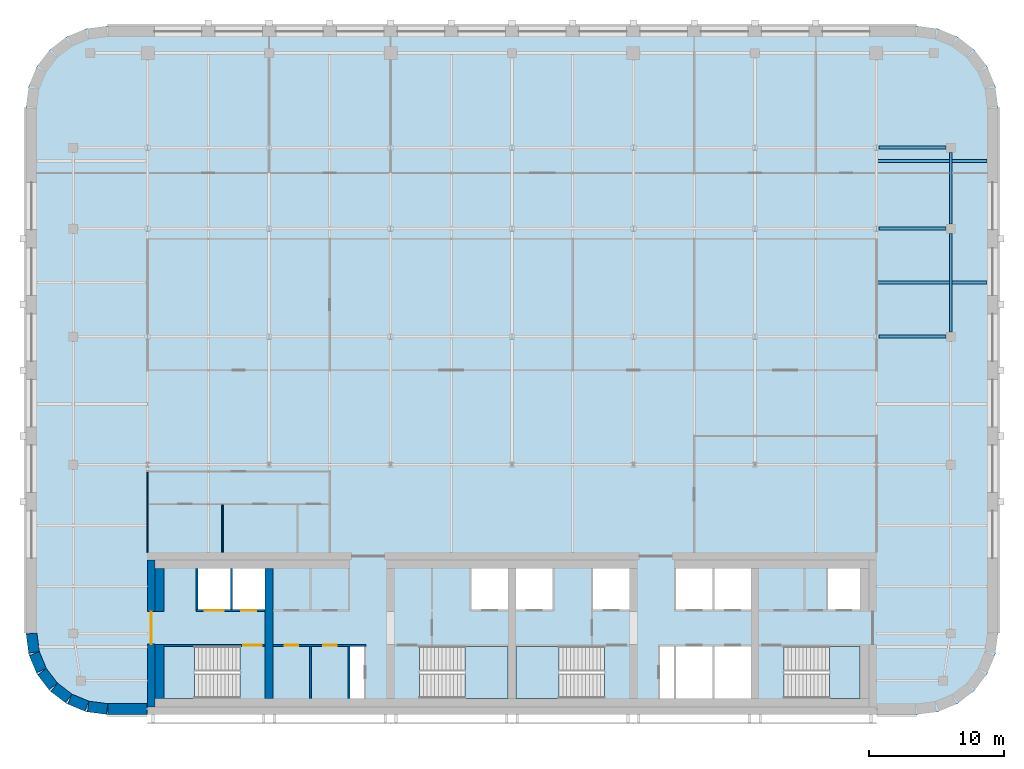
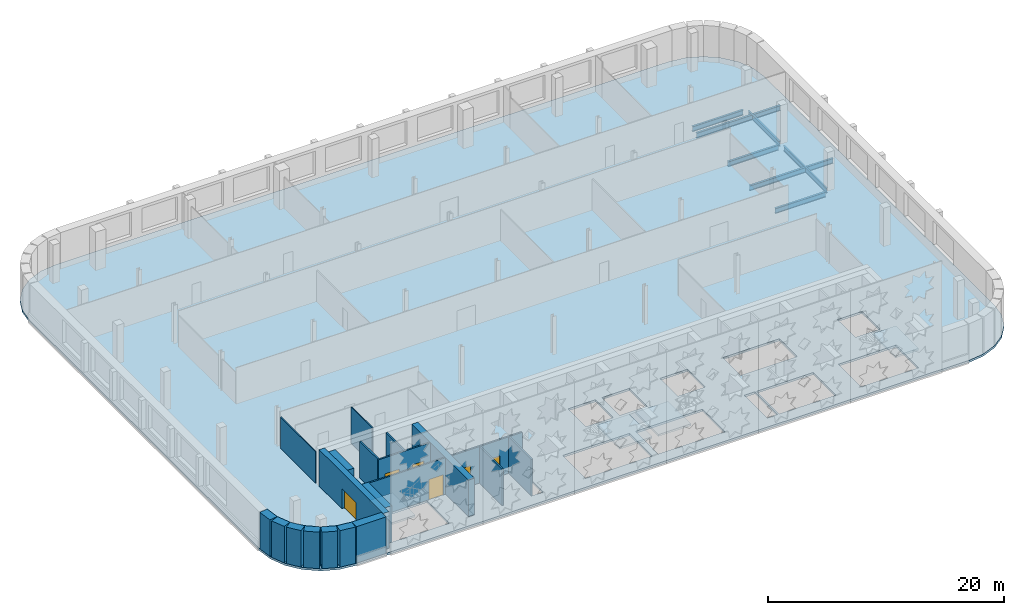
# One storey, part 6 of 15: 20 walls, 7 beams, 6 doors, 5 slabs, 6 openings, 4 elements without a shape of their own.
"""IFC4 building model written with IfcOpenShell, lengths in metres."""

from ifc_helpers import new_model, si_unit, direction, frame, frame_2d, origin, origin_2d, place, context, subcontext, project, spatial, polyline, rectangle, i_section, outline, extrude, material, layer, layer_set, material_profile, profile_set, type_object, element, fill, aggregate, save


model = new_model("IFC4")

# Units and contexts
model_context = context("Model", 3, precision=1e-05, world=origin(), true_north=direction((0.0, 1.0)))
body_context = subcontext(model_context, "Body", "Model", "MODEL_VIEW")
ifc_project = project(units=[si_unit("LENGTHUNIT", "METRE"), si_unit("AREAUNIT", "SQUARE_METRE"), si_unit("VOLUMEUNIT", "CUBIC_METRE"), si_unit("PLANEANGLEUNIT", "RADIAN"), si_unit("MASSUNIT", "GRAM", prefix="KILO")], contexts=[model_context])

# Site, building, storey
site_placement = place(None, origin())
site = spatial("IfcSite", under=ifc_project, at=site_placement, CompositionType="ELEMENT")
building_placement = place(site_placement, origin())
building = spatial("IfcBuilding", under=site, at=building_placement, Name="Zellij Exchange Tower", CompositionType="ELEMENT")
storey_placement = place(building_placement, frame((0.0, 0.0, 276.5)))
storey = spatial("IfcBuildingStorey", under=building, at=storey_placement, Name="L65", CompositionType="ELEMENT", Elevation=276.5)

# Beams
ifc_material_1 = material(Name="Structural steel ASTM A992 Gr 50", Category="steel")
ifc_material_profile_1 = material_profile(ifc_material_1, i_section(OverallWidth=0.209228515625, OverallDepth=0.533447265625, WebThickness=0.01025390625, FlangeThickness=0.015625, at=origin_2d()), Name="W21x62")
ifc_profile_set_1 = profile_set([ifc_material_profile_1], Name="Structural steel ASTM A992 Gr 50")
beam_type_1 = type_object("IfcBeamType", Name="STR-BEAM W21x62", PredefinedType="BEAM", material=ifc_profile_set_1)
for number, where, z_axis, x_axis, name in (
    (1, (27.0, 18.0, -0.48681640625), (1.0, 0.0, 0.0), (0.0, 1.0, 0.0), "B3"),
    (2, (27.0, 27.0, -0.48681640625), (1.0, 0.0, 0.0), (0.0, 1.0, 0.0), "B3"),
):
    element("IfcBeam", number, at=place(storey_placement, frame(where, z_axis=z_axis, x_axis=x_axis)), inside=storey, type_object=beam_type_1, Name=name, PredefinedType="BEAM", context=body_context, shape_type="SweptSolid", body=[
        extrude(i_section(OverallWidth=0.209228515625, OverallDepth=0.533447265625, WebThickness=0.01025390625, FlangeThickness=0.015625, at=origin_2d()), origin(), (0.0, 0.0, 1.0), 8.199951171875),
    ])
ifc_material_profile_2 = material_profile(ifc_material_1, i_section(OverallWidth=0.1650390625, OverallDepth=0.52587890625, WebThickness=0.0087890625, FlangeThickness=0.011474609375, at=origin_2d()), Name="W21x44")
ifc_profile_set_2 = profile_set([ifc_material_profile_2], Name="Structural steel ASTM A992 Gr 50")
beam_type_2 = type_object("IfcBeamType", Name="STR-EDGE GIRDER W21x44", PredefinedType="BEAM", material=ifc_profile_set_2)
beam_1_placement = place(storey_placement, frame((32.5, 14.35009765625, -0.48291015625), z_axis=(0.0, 1.0, 0.0), x_axis=(-1.0, 0.0, 0.0)))
element("IfcBeam", 3, at=beam_1_placement, inside=storey, type_object=beam_type_2, Name="EB2", PredefinedType="BEAM", context=body_context, shape_type="SweptSolid", body=[
    extrude(i_section(OverallWidth=0.1650390625, OverallDepth=0.52587890625, WebThickness=0.0087890625, FlangeThickness=0.011474609375, at=origin_2d()), origin(), (0.0, 0.0, 1.0), 7.2998046875),
])
beam_2_placement = place(storey_placement, frame((32.5, 22.35009765625, -0.48291015625), z_axis=(0.0, 1.0, 0.0), x_axis=(-1.0, 0.0, 0.0)))
element("IfcBeam", 4, at=beam_2_placement, inside=storey, type_object=beam_type_2, Name="EB2", PredefinedType="BEAM", context=body_context, shape_type="SweptSolid", body=[
    extrude(i_section(OverallWidth=0.1650390625, OverallDepth=0.52587890625, WebThickness=0.0087890625, FlangeThickness=0.011474609375, at=origin_2d()), origin(), (0.0, 0.0, 1.0), 5.2998046875),
])
ifc_material_profile_3 = material_profile(ifc_material_1, i_section(OverallWidth=0.209228515625, OverallDepth=0.533447265625, WebThickness=0.01025390625, FlangeThickness=0.015625, at=origin_2d()), Name="W21x62")
ifc_profile_set_3 = profile_set([ifc_material_profile_3], Name="Structural steel ASTM A992 Gr 50")
beam_type_3 = type_object("IfcBeamType", Name="STR-GIRDER W21x62", PredefinedType="BEAM", material=ifc_profile_set_3)
for number, where, z_axis, x_axis, name in (
    (5, (27.186767578125, 14.0, -0.48681640625), (1.0, 0.0, 0.0), (0.0, 1.0, 0.0), "G1"),
    (6, (27.186767578125, 22.0, -0.48681640625), (1.0, 0.0, 0.0), (0.0, 1.0, 0.0), "G1"),
    (7, (27.186767578125, 28.0, -0.48681640625), (1.0, 0.0, 0.0), (0.0, 1.0, 0.0), "G1"),
):
    element("IfcBeam", number, at=place(storey_placement, frame(where, z_axis=z_axis, x_axis=x_axis)), inside=storey, type_object=beam_type_3, Name=name, PredefinedType="BEAM", context=body_context, shape_type="SweptSolid", body=[
        extrude(i_section(OverallWidth=0.209228515625, OverallDepth=0.533447265625, WebThickness=0.01025390625, FlangeThickness=0.015625, at=origin_2d()), origin(), (0.0, 0.0, 1.0), 4.963134765625),
    ])

# Stair, slab
ifc_material_2 = material(Name="Concrete C40/50", Category="concrete")
stair_type = type_object("IfcStairType", Name="CORE-ST exit stair 1850 wide", PredefinedType="HALF_TURN_STAIR", material=ifc_material_2)
stair_1_placement = place(storey_placement, origin())
stair_1 = element("IfcStair", 8, at=stair_1_placement, inside=storey, type_object=stair_type, Name="L65 exit stair ST1", PredefinedType="HALF_TURN_STAIR")
ifc_layer_1 = layer(ifc_material_2, 0.199951171875)
ifc_layer_set_1 = layer_set([ifc_layer_1], Name="Concrete C40/50")
slab_type_1 = type_object("IfcSlabType", Name="CORE-SL stair landing 200", PredefinedType="LANDING", material=ifc_layer_set_1)
slab_1_placement = place(storey_placement, frame((0.0, 0.0, 1.800048828125)))
slab_1 = element("IfcSlab", 9, at=slab_1_placement, type_object=slab_type_1, Name="ST1 landing 1", PredefinedType="LANDING", context=body_context, shape_type="SweptSolid", body=[
    extrude(outline(polyline([(-23.510009765625, -8.949951171875), (-25.800048828125, -8.949951171875), (-25.800048828125, -12.800048828125), (-23.510009765625, -12.800048828125), (-23.510009765625, -8.949951171875)])), origin(), (0.0, 0.0, 1.0), 0.199951171875),
])
aggregate(stair_1, [slab_1])

stair_2_placement = place(storey_placement, origin())
stair_2 = element("IfcStair", 10, at=stair_2_placement, inside=storey, type_object=stair_type, Name="L65 exit stair ST2", PredefinedType="HALF_TURN_STAIR")
slab_2_placement = place(storey_placement, frame((0.0, 0.0, 1.800048828125)))
slab_2 = element("IfcSlab", 11, at=slab_2_placement, type_object=slab_type_1, Name="ST2 landing 1", PredefinedType="LANDING", context=body_context, shape_type="SweptSolid", body=[
    extrude(outline(polyline([(-3.489990234375, -12.800048828125), (-0.300048828125, -12.800048828125), (-0.300048828125, -8.949951171875), (-3.489990234375, -8.949951171875), (-3.489990234375, -12.800048828125)])), origin(), (0.0, 0.0, 1.0), 0.199951171875),
])
aggregate(stair_2, [slab_2])

stair_3_placement = place(storey_placement, origin())
stair_3 = element("IfcStair", 12, at=stair_3_placement, inside=storey, type_object=stair_type, Name="L65 exit stair ST3", PredefinedType="HALF_TURN_STAIR")
slab_3_placement = place(storey_placement, frame((0.0, 0.0, 1.800048828125)))
slab_3 = element("IfcSlab", 13, at=slab_3_placement, type_object=slab_type_1, Name="ST3 landing 1", PredefinedType="LANDING", context=body_context, shape_type="SweptSolid", body=[
    extrude(outline(polyline([(3.489990234375, -8.949951171875), (0.300048828125, -8.949951171875), (0.300048828125, -12.800048828125), (3.489990234375, -12.800048828125), (3.489990234375, -8.949951171875)])), origin(), (0.0, 0.0, 1.0), 0.199951171875),
])
aggregate(stair_3, [slab_3])

stair_4_placement = place(storey_placement, origin())
stair_4 = element("IfcStair", 14, at=stair_4_placement, inside=storey, type_object=stair_type, Name="L65 exit stair ST4", PredefinedType="HALF_TURN_STAIR")
slab_4_placement = place(storey_placement, frame((0.0, 0.0, 1.800048828125)))
slab_4 = element("IfcSlab", 15, at=slab_4_placement, type_object=slab_type_1, Name="ST4 landing 1", PredefinedType="LANDING", context=body_context, shape_type="SweptSolid", body=[
    extrude(outline(polyline([(23.510009765625, -12.800048828125), (25.800048828125, -12.800048828125), (25.800048828125, -8.949951171875), (23.510009765625, -8.949951171875), (23.510009765625, -12.800048828125)])), origin(), (0.0, 0.0, 1.0), 0.199951171875),
])
aggregate(stair_4, [slab_4])

# Slab
ifc_layer_2 = layer(ifc_material_2, 0.219970703125)
ifc_layer_set_2 = layer_set([ifc_layer_2], Name="Concrete C40/50")
slab_type_2 = type_object("IfcSlabType", Name="STR-FLOOR SLAB 220 C40/50", PredefinedType="FLOOR", material=ifc_layer_set_2)
slab_5_placement = place(storey_placement, frame((0.0, 0.0, -0.22021484375)))
element("IfcSlab", 16, at=slab_5_placement, inside=storey, type_object=slab_type_2, Name="Floor L65", PredefinedType="FLOOR", context=body_context, shape_type="SweptSolid", body=[
    extrude(outline(polyline([(-30.0, -14.0), (-31.552978515625, -13.795654296875), (-33.0, -13.1962890625), (-34.24267578125, -12.24267578125), (-35.1962890625, -11.0), (-35.795654296875, -9.552978515625), (-36.0, -8.0), (-36.0, 31.0), (-35.795654296875, 32.552978515625), (-35.1962890625, 34.0), (-34.24267578125, 35.24267578125), (-33.0, 36.1962890625), (-31.552978515625, 36.795654296875), (-30.0, 37.0), (30.0, 37.0), (31.552978515625, 36.795654296875), (33.0, 36.1962890625), (34.24267578125, 35.24267578125), (35.1962890625, 34.0), (35.795654296875, 32.552978515625), (36.0, 31.0), (36.0, -8.0), (35.795654296875, -9.552978515625), (35.1962890625, -11.0), (34.24267578125, -12.24267578125), (33.0, -13.1962890625), (31.552978515625, -13.795654296875), (30.0, -14.0), (-30.0, -14.0)]), holes=[polyline([(-25.800048828125, -8.949951171875), (-25.800048828125, -12.800048828125), (-20.153076171875, -12.800048828125), (-20.153076171875, -8.949951171875), (-25.800048828125, -8.949951171875)]), polyline([(-10.949951171875, -8.949951171875), (-12.0, -8.949951171875), (-12.0, -12.800048828125), (-10.949951171875, -12.800048828125), (-10.949951171875, -8.949951171875)]), polyline([(-0.300048828125, -8.949951171875), (-6.846923828125, -8.949951171875), (-6.846923828125, -12.800048828125), (-0.300048828125, -12.800048828125), (-0.300048828125, -8.949951171875)]), polyline([(0.300048828125, -8.949951171875), (0.300048828125, -12.800048828125), (6.846923828125, -12.800048828125), (6.846923828125, -8.949951171875), (0.300048828125, -8.949951171875)]), polyline([(-18.300048828125, -3.199951171875), (-23.25, -3.199951171875), (-23.25, -6.22509765625), (-18.300048828125, -6.22509765625), (-18.300048828125, -3.199951171875)]), polyline([(-0.300048828125, -3.199951171875), (-3.0, -3.199951171875), (-3.0, -6.22509765625), (-0.300048828125, -6.22509765625), (-0.300048828125, -3.199951171875)]), polyline([(0.300048828125, -3.199951171875), (0.300048828125, -6.22509765625), (3.0, -6.22509765625), (3.0, -3.199951171875), (0.300048828125, -3.199951171875)]), polyline([(12.0, -8.949951171875), (10.949951171875, -8.949951171875), (10.949951171875, -12.800048828125), (12.0, -12.800048828125), (12.0, -8.949951171875)]), polyline([(17.699951171875, -8.949951171875), (12.14990234375, -8.949951171875), (12.14990234375, -12.800048828125), (17.699951171875, -12.800048828125), (17.699951171875, -8.949951171875)]), polyline([(25.800048828125, -8.949951171875), (20.153076171875, -8.949951171875), (20.153076171875, -12.800048828125), (25.800048828125, -12.800048828125), (25.800048828125, -8.949951171875)]), polyline([(8.699951171875, -3.199951171875), (6.0, -3.199951171875), (6.0, -6.22509765625), (8.699951171875, -6.22509765625), (8.699951171875, -3.199951171875)]), polyline([(17.699951171875, -3.199951171875), (12.14990234375, -3.199951171875), (12.14990234375, -6.22509765625), (17.699951171875, -6.22509765625), (17.699951171875, -3.199951171875)]), polyline([(25.800048828125, -3.199951171875), (23.39990234375, -3.199951171875), (23.39990234375, -6.22509765625), (25.800048828125, -6.22509765625), (25.800048828125, -3.199951171875)])]), origin(), (0.0, 0.0, 1.0), 0.22021484375),
])

# Walls
ifc_material_3 = material(Name="Concrete C50/60", Category="concrete")
ifc_layer_3 = layer(ifc_material_3, 0.60009765625)
ifc_layer_set_3 = layer_set([ifc_layer_3], Name="Concrete C50/60")
wall_type_1 = type_object("IfcWallType", Name="CORE-CW 600 C50/60", PredefinedType="SHEAR", material=ifc_layer_set_3)
wall_1_placement = place(storey_placement, frame((-18.0, -12.800048828125, 0.0), z_axis=(0.0, 0.0, 1.0), x_axis=(0.0, 1.0, 0.0)))
element("IfcWall", 17, at=wall_1_placement, inside=storey, type_object=wall_type_1, Name="Core cross wall x -18 L65", PredefinedType="SHEAR", context=body_context, shape_type="SweptSolid", body=[
    extrude(rectangle(XDim=9.60009765625, YDim=0.60009765625, at=frame_2d((4.800048828125, 0.0))), origin(), (0.0, 0.0, 1.0), 3.780029296875),
])
ifc_material_4 = material(Name="Concrete C30/37", Category="concrete")
ifc_layer_4 = layer(ifc_material_4, 0.64990234375)
ifc_layer_set_4 = layer_set([ifc_layer_4], Name="Concrete C30/37")
wall_type_2 = type_object("IfcWallType", Name="CORE-LW 650 C30/37", PredefinedType="SHEAR", material=ifc_layer_set_4)
wall_2_placement = place(storey_placement, frame((-26.125, -12.800048828125, 0.0), z_axis=(0.0, 0.0, 1.0), x_axis=(0.0, 1.0, 0.0)))
element("IfcWall", 18, at=wall_2_placement, inside=storey, type_object=wall_type_2, Name="Core wall lining end w.0 L65", PredefinedType="SHEAR", context=body_context, shape_type="SweptSolid", body=[
    extrude(rectangle(XDim=4.0, YDim=0.64990234375, at=frame_2d((2.0, 0.0))), origin(), (0.0, 0.0, 1.0), 3.780029296875),
])
wall_3_placement = place(storey_placement, frame((-26.125, -6.375, 0.0), z_axis=(0.0, 0.0, 1.0), x_axis=(0.0, 1.0, 0.0)))
element("IfcWall", 19, at=wall_3_placement, inside=storey, type_object=wall_type_2, Name="Core wall lining end w.1 L65", PredefinedType="SHEAR", context=body_context, shape_type="SweptSolid", body=[
    extrude(rectangle(XDim=3.175048828125, YDim=0.64990234375, at=frame_2d((1.58740234375, 0.0))), origin(), (0.0, 0.0, 1.0), 3.780029296875),
])
ifc_material_5 = material(Name="Gypsum board partition")
ifc_layer_5 = layer(ifc_material_5, 0.14990234375)
ifc_layer_set_5 = layer_set([ifc_layer_5], Name="Gypsum board partition")
wall_type_3 = type_object("IfcWallType", Name="CORE-PW 150 Lift lobby wall", PredefinedType="PARTITIONING", material=ifc_layer_set_5)
for number, where, z_axis, x_axis, name in (
    (20, (-12.074951171875, -12.800048828125, 0.0), (0.0, 0.0, 1.0), (0.0, 1.0, 0.0), "Lift lobby wall L65"),
    (21, (-14.925048828125, -12.800048828125, 0.0), (0.0, 0.0, 1.0), (0.0, 1.0, 0.0), "Lift lobby wall L65"),
):
    element("IfcWall", number, at=place(storey_placement, frame(where, z_axis=z_axis, x_axis=x_axis)), inside=storey, type_object=wall_type_3, Name=name, PredefinedType="PARTITIONING", context=body_context, shape_type="SweptSolid", body=[
        extrude(rectangle(XDim=3.85009765625, YDim=0.14990234375, at=frame_2d((1.925048828125, 0.0))), origin(), (0.0, 0.0, 1.0), 3.780029296875),
    ])

# Wall, openings, doors
wall_4_placement = place(storey_placement, frame((-17.699951171875, -8.875, 0.0), z_axis=(0.0, 0.0, 1.0), x_axis=(1.0, 0.0, 0.0)))
wall_4 = element("IfcWall", 22, at=wall_4_placement, inside=storey, type_object=wall_type_3, Name="Lift lobby wall L65", PredefinedType="PARTITIONING", context=body_context, shape_type="SweptSolid", body=[
    extrude(rectangle(XDim=6.89990234375, YDim=0.14990234375, at=frame_2d((3.449951171875, 0.0))), origin(), (0.0, 0.0, 1.0), 3.780029296875),
])
opening_1_placement = place(wall_4_placement, frame((0.85009765625, 0.0, 0.0)))
opening_1 = element("IfcOpeningElement", 23, at=opening_1_placement, cuts=wall_4, Name="Opening CA-34.05", PredefinedType="OPENING", context=body_context, shape_type="SweptSolid", body=[
    extrude(rectangle(XDim=1.0, YDim=2.10009765625, at=frame_2d((0.5, 1.050048828125))), frame((0.0, 0.0869140625, 0.0), z_axis=(0.0, -1.0, 0.0), x_axis=(1.0, 0.0, 0.0)), (0.0, 0.0, 1.0), 0.173828125),
])
opening_2_placement = place(wall_4_placement, frame((3.699951171875, 0.0, 0.0)))
opening_2 = element("IfcOpeningElement", 24, at=opening_2_placement, cuts=wall_4, Name="Opening CA-34.07", PredefinedType="OPENING", context=body_context, shape_type="SweptSolid", body=[
    extrude(rectangle(XDim=1.0, YDim=2.10009765625, at=frame_2d((0.5, 1.050048828125))), frame((0.0, 0.0869140625, 0.0), z_axis=(0.0, -1.0, 0.0), x_axis=(1.0, 0.0, 0.0)), (0.0, 0.0, 1.0), 0.173828125),
])
ifc_material_6 = material(Name="Hollow metal fire door")
door_type_1 = type_object("IfcDoorType", Name="CORE-D CD Core room door 1000x2100 1 HR", OperationType="NOTDEFINED", PredefinedType="DOOR", material=ifc_material_6)
door_1_placement = place(opening_1_placement, origin())
door_1 = element("IfcDoor", 25, at=door_1_placement, inside=storey, type_object=door_type_1, Name="Core room door CA-34.05", OperationType="SINGLE_SWING_RIGHT", OverallHeight=2.10009765625, OverallWidth=1.0, PredefinedType="DOOR", context=body_context, shape_type="SweptSolid", body=[
    extrude(rectangle(XDim=1.0, YDim=2.10009765625, at=frame_2d((0.5, 1.050048828125))), frame((0.0, 0.02490234375, 0.0), z_axis=(0.0, -1.0, 0.0), x_axis=(1.0, 0.0, 0.0)), (0.0, 0.0, 1.0), 0.050048828125),
])
fill(opening_1, door_1)
door_2_placement = place(opening_2_placement, origin())
door_2 = element("IfcDoor", 26, at=door_2_placement, inside=storey, type_object=door_type_1, Name="Core room door CA-34.07", OperationType="SINGLE_SWING_LEFT", OverallHeight=2.10009765625, OverallWidth=1.0, PredefinedType="DOOR", context=body_context, shape_type="SweptSolid", body=[
    extrude(rectangle(XDim=1.0, YDim=2.10009765625, at=frame_2d((0.5, 1.050048828125))), frame((0.0, 0.02490234375, 0.0), z_axis=(0.0, -1.0, 0.0), x_axis=(1.0, 0.0, 0.0)), (0.0, 0.0, 1.0), 0.050048828125),
])
fill(opening_2, door_2)

# Walls
ifc_material_7 = material(Name="Gypsum shaft wall system")
ifc_layer_6 = layer(ifc_material_7, 0.14990234375)
ifc_layer_set_6 = layer_set([ifc_layer_6], Name="Gypsum shaft wall system")
wall_type_4 = type_object("IfcWallType", Name="CORE-PW 150 Lift shaft wall", PredefinedType="PARTITIONING", material=ifc_layer_set_6)
for number, where, z_axis, x_axis, name in (
    (27, (-20.77490234375, -6.22509765625, 0.0), (0.0, 0.0, 1.0), (0.0, 1.0, 0.0), "Lift shaft wall L65"),
    (28, (-23.324951171875, -6.22509765625, 0.0), (0.0, 0.0, 1.0), (0.0, 1.0, 0.0), "Lift shaft wall L65"),
):
    element("IfcWall", number, at=place(storey_placement, frame(where, z_axis=z_axis, x_axis=x_axis)), inside=storey, type_object=wall_type_4, Name=name, PredefinedType="PARTITIONING", context=body_context, shape_type="SweptSolid", body=[
        extrude(rectangle(XDim=3.025146484375, YDim=0.14990234375, at=frame_2d((1.5126953125, 0.0))), origin(), (0.0, 0.0, 1.0), 3.780029296875),
    ])

# Wall, openings, doors
wall_5_placement = place(storey_placement, frame((-23.39990234375, -6.300048828125, 0.0), z_axis=(0.0, 0.0, 1.0), x_axis=(1.0, 0.0, 0.0)))
wall_5 = element("IfcWall", 29, at=wall_5_placement, inside=storey, type_object=wall_type_4, Name="Lift shaft wall L65", PredefinedType="PARTITIONING", context=body_context, shape_type="SweptSolid", body=[
    extrude(rectangle(XDim=5.099853515625, YDim=0.14990234375, at=frame_2d((2.5498046875, 0.0))), origin(), (0.0, 0.0, 1.0), 3.780029296875),
])
opening_3_placement = place(wall_5_placement, frame((0.64990234375, 0.0, 0.0)))
opening_3 = element("IfcOpeningElement", 30, at=opening_3_placement, cuts=wall_5, Name="Opening CA-34.02", PredefinedType="OPENING", context=body_context, shape_type="SweptSolid", body=[
    extrude(rectangle(XDim=1.39990234375, YDim=2.10009765625, at=frame_2d((0.699951171875, 1.050048828125))), frame((0.0, 0.0869140625, 0.0), z_axis=(0.0, -1.0, 0.0), x_axis=(1.0, 0.0, 0.0)), (0.0, 0.0, 1.0), 0.173828125),
])
opening_4_placement = place(wall_5_placement, frame((3.35009765625, 0.0, 0.0)))
opening_4 = element("IfcOpeningElement", 31, at=opening_4_placement, cuts=wall_5, Name="Opening CA-34.03", PredefinedType="OPENING", context=body_context, shape_type="SweptSolid", body=[
    extrude(rectangle(XDim=1.10009765625, YDim=2.10009765625, at=frame_2d((0.550048828125, 1.050048828125))), frame((0.0, 0.0869140625, 0.0), z_axis=(0.0, -1.0, 0.0), x_axis=(1.0, 0.0, 0.0)), (0.0, 0.0, 1.0), 0.173828125),
])
door_type_2 = type_object("IfcDoorType", Name="CORE-D LD Lift landing door 1100x2100 1.5 HR", OperationType="NOTDEFINED", PredefinedType="DOOR", material=ifc_material_6)
door_3_placement = place(opening_4_placement, origin())
door_3 = element("IfcDoor", 32, at=door_3_placement, inside=storey, type_object=door_type_2, Name="Lift landing door CA-34.03", OperationType="SLIDING_TO_LEFT", OverallHeight=2.10009765625, OverallWidth=1.10009765625, PredefinedType="DOOR", context=body_context, shape_type="SweptSolid", body=[
    extrude(rectangle(XDim=1.10009765625, YDim=2.10009765625, at=frame_2d((0.550048828125, 1.050048828125))), frame((0.0, 0.02490234375, 0.0), z_axis=(0.0, -1.0, 0.0), x_axis=(1.0, 0.0, 0.0)), (0.0, 0.0, 1.0), 0.050048828125),
])
fill(opening_4, door_3)
door_type_3 = type_object("IfcDoorType", Name="CORE-D LD2 Service lift landing door 1400x2100 1.5 HR", OperationType="NOTDEFINED", PredefinedType="DOOR", material=ifc_material_6)
door_4_placement = place(opening_3_placement, origin())
door_4 = element("IfcDoor", 33, at=door_4_placement, inside=storey, type_object=door_type_3, Name="Service lift landing door CA-34.02", OperationType="SLIDING_TO_RIGHT", OverallHeight=2.10009765625, OverallWidth=1.39990234375, PredefinedType="DOOR", context=body_context, shape_type="SweptSolid", body=[
    extrude(rectangle(XDim=1.39990234375, YDim=2.10009765625, at=frame_2d((0.699951171875, 1.050048828125))), frame((0.0, 0.02490234375, 0.0), z_axis=(0.0, -1.0, 0.0), x_axis=(1.0, 0.0, 0.0)), (0.0, 0.0, 1.0), 0.050048828125),
])
fill(opening_3, door_4)

# Wall, opening, door
ifc_layer_7 = layer(ifc_material_3, 0.550048828125)
ifc_layer_set_7 = layer_set([ifc_layer_7], Name="Concrete C50/60")
wall_type_5 = type_object("IfcWallType", Name="CORE-SW 550 C50/60", PredefinedType="SHEAR", material=ifc_layer_set_7)
wall_6_placement = place(storey_placement, frame((-26.72509765625, -13.449951171875, 0.0), z_axis=(0.0, 0.0, 1.0), x_axis=(0.0, 1.0, 0.0)))
wall_6 = element("IfcWall", 34, at=wall_6_placement, inside=storey, type_object=wall_type_5, Name="Core shear wall end w L65", PredefinedType="SHEAR", context=body_context, shape_type="SweptSolid", body=[
    extrude(rectangle(XDim=10.89990234375, YDim=0.550048828125, at=frame_2d((5.449951171875, 0.0))), origin(), (0.0, 0.0, 1.0), 3.780029296875),
])
opening_5_placement = place(wall_6_placement, frame((4.662109375, 0.0, 0.0)))
opening_5 = element("IfcOpeningElement", 35, at=opening_5_placement, cuts=wall_6, Name="Opening CA-34.01", PredefinedType="OPENING", context=body_context, shape_type="SweptSolid", body=[
    extrude(rectangle(XDim=2.39990234375, YDim=2.10009765625, at=frame_2d((1.199951171875, 1.050048828125))), frame((0.0, 0.287109375, 0.0), z_axis=(0.0, -1.0, 0.0), x_axis=(1.0, 0.0, 0.0)), (0.0, 0.0, 1.0), 0.573974609375),
])
door_type_4 = type_object("IfcDoorType", Name="CORE-D CE Core entrance door 2400x2100 20 MIN", OperationType="NOTDEFINED", PredefinedType="DOOR", material=ifc_material_6)
door_5_placement = place(opening_5_placement, origin())
door_5 = element("IfcDoor", 36, at=door_5_placement, inside=storey, type_object=door_type_4, Name="Core entrance door CA-34.01", OperationType="DOUBLE_DOOR_SINGLE_SWING", OverallHeight=2.10009765625, OverallWidth=2.39990234375, PredefinedType="DOOR", context=body_context, shape_type="SweptSolid", body=[
    extrude(rectangle(XDim=2.39990234375, YDim=2.10009765625, at=frame_2d((1.199951171875, 1.050048828125))), frame((0.0, 0.02490234375, 0.0), z_axis=(0.0, -1.0, 0.0), x_axis=(1.0, 0.0, 0.0)), (0.0, 0.0, 1.0), 0.050048828125),
])
fill(opening_5, door_5)

ifc_layer_8 = layer(ifc_material_3, 0.14990234375)
ifc_layer_set_8 = layer_set([ifc_layer_8], Name="Concrete C50/60")
wall_type_6 = type_object("IfcWallType", Name="CORE-SWS 150 C50/60", PredefinedType="SHEAR", material=ifc_layer_set_8)
wall_7_placement = place(storey_placement, frame((-25.800048828125, -8.875, 0.0), z_axis=(0.0, 0.0, 1.0), x_axis=(1.0, 0.0, 0.0)))
wall_7 = element("IfcWall", 37, at=wall_7_placement, inside=storey, type_object=wall_type_6, Name="Stair enclosure wall L65", PredefinedType="SHEAR", context=body_context, shape_type="SweptSolid", body=[
    extrude(rectangle(XDim=7.5, YDim=0.14990234375, at=frame_2d((3.75, 0.0))), origin(), (0.0, 0.0, 1.0), 3.780029296875),
])
opening_6_placement = place(wall_7_placement, frame((5.875, 0.0, 0.0)))
opening_6 = element("IfcOpeningElement", 38, at=opening_6_placement, cuts=wall_7, Name="Opening CA-34.04", PredefinedType="OPENING", context=body_context, shape_type="SweptSolid", body=[
    extrude(rectangle(XDim=1.39990234375, YDim=2.10009765625, at=frame_2d((0.699951171875, 1.050048828125))), frame((0.0, 0.0869140625, 0.0), z_axis=(0.0, -1.0, 0.0), x_axis=(1.0, 0.0, 0.0)), (0.0, 0.0, 1.0), 0.173828125),
])
door_type_5 = type_object("IfcDoorType", Name="CORE-D SD Stair door 1400x2100 1.5 HR", OperationType="NOTDEFINED", PredefinedType="DOOR", material=ifc_material_6)
door_6_placement = place(opening_6_placement, origin())
door_6 = element("IfcDoor", 39, at=door_6_placement, inside=storey, type_object=door_type_5, Name="Stair door CA-34.04", OperationType="DOUBLE_DOOR_SINGLE_SWING", OverallHeight=2.10009765625, OverallWidth=1.39990234375, PredefinedType="DOOR", context=body_context, shape_type="SweptSolid", body=[
    extrude(rectangle(XDim=1.39990234375, YDim=2.10009765625, at=frame_2d((0.699951171875, 1.050048828125))), frame((0.0, 0.02490234375, 0.0), z_axis=(0.0, -1.0, 0.0), x_axis=(1.0, 0.0, 0.0)), (0.0, 0.0, 1.0), 0.050048828125),
])
fill(opening_6, door_6)

# Walls
ifc_material_8 = material(Name="Precast concrete C40/50", Category="concrete")
ifc_layer_9 = layer(ifc_material_8, 0.800048828125)
ifc_layer_set_9 = layer_set([ifc_layer_9], Name="Precast concrete C40/50")
wall_type_7 = type_object("IfcWallType", Name="ENV-EW1 Precast stone-piered wall 800", PredefinedType="SOLIDWALL", material=ifc_layer_set_9)
wall_8_placement = place(storey_placement, frame((-29.947509765625, -13.60009765625, 0.0), z_axis=(0.0, 0.0, 1.0), x_axis=(1.0, 0.0, 0.0)))
element("IfcWall", 40, at=wall_8_placement, inside=storey, type_object=wall_type_7, Name="fac.L65.00a", PredefinedType="SOLIDWALL", context=body_context, shape_type="SweptSolid", body=[
    extrude(rectangle(XDim=2.8974609375, YDim=0.800048828125, at=frame_2d((1.44873046875, 0.0))), origin(), (0.0, 0.0, 1.0), 3.780029296875),
])
wall_9_placement = place(storey_placement, frame((-35.5966796875, -7.999755859375, 0.0), z_axis=(0.0, 0.0, 1.0), x_axis=(0.130517283865, -0.99144603414, 0.0)))
element("IfcWall", 41, at=wall_9_placement, inside=storey, type_object=wall_type_7, Name="fac.L65.22", PredefinedType="SOLIDWALL", context=body_context, shape_type="SweptSolid", body=[
    extrude(rectangle(XDim=1.408447265625, YDim=0.800048828125, at=frame_2d((0.7041015625, 0.0))), origin(), (0.0, 0.0, 1.0), 3.780029296875),
])
wall_10_placement = place(storey_placement, frame((-35.3857421875, -9.497314453125, 0.0), z_axis=(0.0, 0.0, 1.0), x_axis=(0.38276009378, -0.923847774587, 0.0)))
element("IfcWall", 42, at=wall_10_placement, inside=storey, type_object=wall_type_7, Name="fac.L65.23", PredefinedType="SOLIDWALL", context=body_context, shape_type="SweptSolid", body=[
    extrude(rectangle(XDim=1.35546875, YDim=0.800048828125, at=frame_2d((0.677734375, 0.0))), origin(), (0.0, 0.0, 1.0), 3.780029296875),
])
for number, where, z_axis, x_axis, name in (
    (43, (-34.814697265625, -10.840087890625, 0.0), (0.0, 0.0, 1.0), (0.608866226366, -0.793272915452, 0.0), "fac.L65.24"),
    (44, (-33.91552734375, -11.9892578125, 0.0), (0.0, 0.0, 1.0), (0.793272915452, -0.608866226366, 0.0), "fac.L65.25"),
):
    element("IfcWall", number, at=place(storey_placement, frame(where, z_axis=z_axis, x_axis=x_axis)), inside=storey, type_object=wall_type_7, Name=name, PredefinedType="SOLIDWALL", context=body_context, shape_type="SweptSolid", body=[
        extrude(rectangle(XDim=1.355712890625, YDim=0.800048828125, at=frame_2d((0.677734375, 0.0))), origin(), (0.0, 0.0, 1.0), 3.780029296875),
    ])
wall_11_placement = place(storey_placement, frame((-32.74951171875, -12.866943359375, 0.0), z_axis=(0.0, 0.0, 1.0), x_axis=(0.923847774587, -0.38276009378, 0.0)))
element("IfcWall", 45, at=wall_11_placement, inside=storey, type_object=wall_type_7, Name="fac.L65.26", PredefinedType="SOLIDWALL", context=body_context, shape_type="SweptSolid", body=[
    extrude(rectangle(XDim=1.35546875, YDim=0.800048828125, at=frame_2d((0.677734375, 0.0))), origin(), (0.0, 0.0, 1.0), 3.780029296875),
])
wall_12_placement = place(storey_placement, frame((-31.396240234375, -13.412841796875, 0.0), z_axis=(0.0, 0.0, 1.0), x_axis=(0.99144603414, -0.130517283865, 0.0)))
element("IfcWall", 46, at=wall_12_placement, inside=storey, type_object=wall_type_7, Name="fac.L65.27", PredefinedType="SOLIDWALL", context=body_context, shape_type="SweptSolid", body=[
    extrude(rectangle(XDim=1.408447265625, YDim=0.800048828125, at=frame_2d((0.7041015625, 0.0))), origin(), (0.0, 0.0, 1.0), 3.780029296875),
])
ifc_material_9 = material(Name="Gypsum board partition on steel studs", Category="steel")
ifc_layer_10 = layer(ifc_material_9, 0.10009765625)
ifc_layer_set_10 = layer_set([ifc_layer_10], Name="Gypsum board partition on steel studs")
wall_type_8 = type_object("IfcWallType", Name="FIT-PARTITION-100", PredefinedType="PARTITIONING", material=ifc_layer_set_10)
wall_13_placement = place(storey_placement, frame((-27.0, -2.0, 0.0), z_axis=(0.0, 0.0, 1.0), x_axis=(0.0, 1.0, 0.0)))
element("IfcWall", 47, at=wall_13_placement, inside=storey, type_object=wall_type_8, Name="FIT-PARTITION-100 001", PredefinedType="PARTITIONING", context=body_context, shape_type="SweptSolid", body=[
    extrude(rectangle(XDim=5.949951171875, YDim=0.10009765625, at=frame_2d((2.97509765625, 0.0))), origin(), (0.0, 0.0, 1.0), 3.24658203125),
])
wall_14_placement = place(storey_placement, frame((-21.449951171875, -2.0, 0.0), z_axis=(0.0, 0.0, 1.0), x_axis=(0.0, 1.0, 0.0)))
element("IfcWall", 48, at=wall_14_placement, inside=storey, type_object=wall_type_8, Name="FIT-PARTITION-100 002", PredefinedType="PARTITIONING", context=body_context, shape_type="SweptSolid", body=[
    extrude(rectangle(XDim=3.550048828125, YDim=0.10009765625, at=frame_2d((1.77490234375, 0.0))), origin(), (0.0, 0.0, 1.0), 3.780029296875),
])

save(model, "model.ifc")
